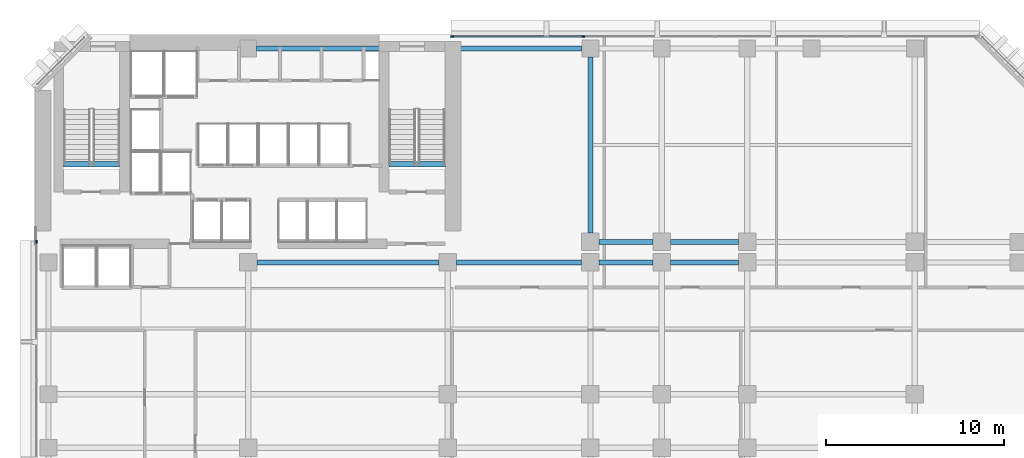
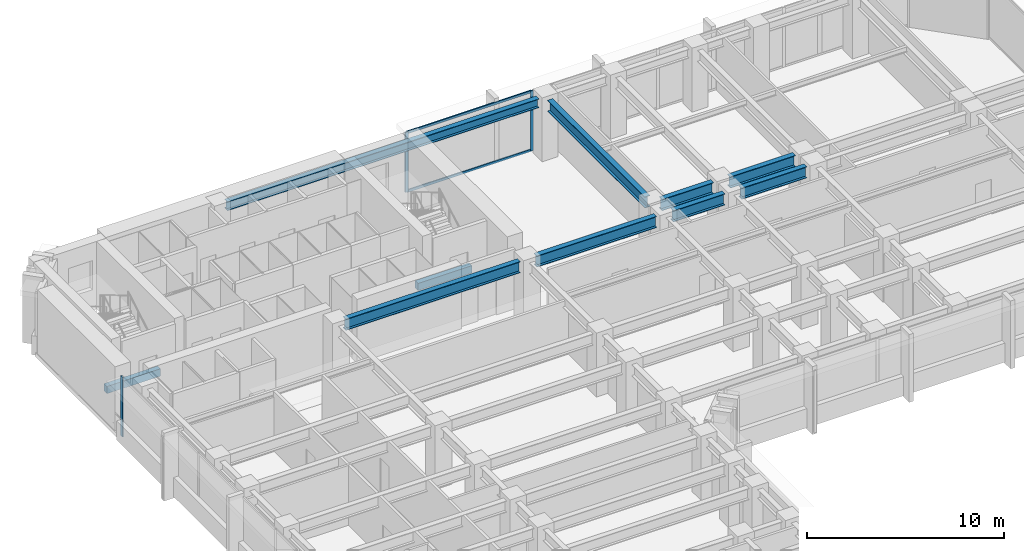
# One storey, part 4 of 14: 10 beams, 5 members, 2 elements without a shape of their own.
"""IFC4 building model written with IfcOpenShell, lengths in metres."""

from ifc_helpers import new_model, si_unit, direction, frame, origin, origin_2d, place, context, subcontext, project, spatial, rectangle, i_section, extrude, material, layer, layer_set, material_profile, profile_set, type_object, element, aggregate, save


model = new_model("IFC4")

# Units and contexts
model_context = context("Model", 3, precision=1e-05, world=origin(), true_north=direction((0.0, 1.0)))
body_context = subcontext(model_context, "Body", "Model", "MODEL_VIEW")
ifc_project = project(units=[si_unit("LENGTHUNIT", "METRE"), si_unit("AREAUNIT", "SQUARE_METRE"), si_unit("VOLUMEUNIT", "CUBIC_METRE"), si_unit("PLANEANGLEUNIT", "RADIAN"), si_unit("MASSUNIT", "GRAM", prefix="KILO")], contexts=[model_context])

# Site, building, storey
site_placement = place(None, origin())
site = spatial("IfcSite", under=ifc_project, at=site_placement, CompositionType="ELEMENT")
building_placement = place(site_placement, origin())
building = spatial("IfcBuilding", under=site, at=building_placement, Name="Kefirva Bronze Tower", CompositionType="ELEMENT")
storey_placement = place(building_placement, frame((0.0, 0.0, 42.239990234375)))
storey = spatial("IfcBuildingStorey", under=building, at=storey_placement, Name="L09", CompositionType="ELEMENT", Elevation=42.239990234375)

# Curtain wall, members
ifc_material_1 = material(Name="Bronze anodised aluminium", Category="aluminium")
ifc_layer = layer(ifc_material_1, 0.199951171875, Name="Bronze anodised aluminium")
ifc_layer_set = layer_set([ifc_layer], Name="Bronze anodised aluminium")
curtain_wall_type = type_object("IfcCurtainWallType", Name="Unitised Bronze Ribbon Curtain Wall Zone 1", PredefinedType="USERDEFINED", material=ifc_layer_set)
curtain_wall_1_placement = place(storey_placement, origin())
curtain_wall_1 = element("IfcCurtainWall", 1, at=curtain_wall_1_placement, inside=storey, type_object=curtain_wall_type, Name="L09 Curtain Wall 4", ObjectType="UNITISED CURTAIN WALL", PredefinedType="USERDEFINED")
ifc_material_profile_1 = material_profile(ifc_material_1, rectangle(XDim=0.074951171875, YDim=0.179931640625, at=origin_2d()), Name="ALU 75x180")
ifc_profile_set_1 = profile_set([ifc_material_profile_1], Name="Bronze anodised aluminium")
member_type_1 = type_object("IfcMemberType", Name="Bronze Mullion 75x180", PredefinedType="MULLION", material=ifc_profile_set_1)
member_1_placement = place(storey_placement, frame((30.7900390625, 45.8798828125, 0.0), z_axis=(0.0, 0.0, 1.0), x_axis=(0.0, -1.0, 0.0)))
member_1 = element("IfcMember", 2, at=member_1_placement, type_object=member_type_1, Name="CW-01 mullion 4", PredefinedType="MULLION", context=body_context, shape_type="SweptSolid", body=[
    extrude(rectangle(XDim=0.074951171875, YDim=0.179931640625, at=origin_2d()), origin(), (0.0, 0.0, 1.0), 3.7099609375),
])
member_2_placement = place(storey_placement, frame((23.4423828125, 45.8798828125, 0.0), z_axis=(0.0, 0.0, 1.0), x_axis=(0.0, -1.0, 0.0)))
member_2 = element("IfcMember", 3, at=member_2_placement, type_object=member_type_1, Name="CW-01 mullion 5", PredefinedType="MULLION", context=body_context, shape_type="SweptSolid", body=[
    extrude(rectangle(XDim=0.074951171875, YDim=0.179931640625, at=origin_2d()), origin(), (0.0, 0.0, 1.0), 3.7099609375),
])

# Curtain wall, member
curtain_wall_2_placement = place(storey_placement, origin())
curtain_wall_2 = element("IfcCurtainWall", 4, at=curtain_wall_2_placement, inside=storey, type_object=curtain_wall_type, Name="L09 Curtain Wall 5", ObjectType="UNITISED CURTAIN WALL", PredefinedType="USERDEFINED")
member_3_placement = place(storey_placement, frame((0.1201171875, 34.357421875, 0.0), z_axis=(0.0, 0.0, 1.0), x_axis=(1.0, 0.0, 0.0)))
member_3 = element("IfcMember", 5, at=member_3_placement, type_object=member_type_1, Name="CW-01 mullion 1", PredefinedType="MULLION", context=body_context, shape_type="SweptSolid", body=[
    extrude(rectangle(XDim=0.074951171875, YDim=0.179931640625, at=origin_2d()), origin(), (0.0, 0.0, 1.0), 3.7099609375),
])
aggregate(curtain_wall_2, [member_3])

# Member
ifc_material_profile_2 = material_profile(ifc_material_1, rectangle(XDim=0.074951171875, YDim=0.14990234375, at=origin_2d()), Name="ALU 75x150")
ifc_profile_set_2 = profile_set([ifc_material_profile_2], Name="Bronze anodised aluminium")
member_type_2 = type_object("IfcMemberType", Name="Bronze Transom 75x150", PredefinedType="USERDEFINED", material=ifc_profile_set_2)
member_4_placement = place(storey_placement, frame((30.75244140625, 45.8798828125, 0.03759765625), z_axis=(-1.0, 0.0, 0.0), x_axis=(0.0, -1.0, 0.0)))
member_4 = element("IfcMember", 6, at=member_4_placement, type_object=member_type_2, Name="CW-01 transom 4.1", ObjectType="TRANSOM", PredefinedType="USERDEFINED", context=body_context, shape_type="SweptSolid", body=[
    extrude(rectangle(XDim=0.074951171875, YDim=0.14990234375, at=origin_2d()), origin(), (0.0, 0.0, 1.0), 7.2724609375),
])

member_5_placement = place(storey_placement, frame((30.75244140625, 45.8798828125, 3.672607421875), z_axis=(-1.0, 0.0, 0.0), x_axis=(0.0, -1.0, 0.0)))
member_5 = element("IfcMember", 7, at=member_5_placement, type_object=member_type_2, Name="CW-01 transom 4.2", ObjectType="TRANSOM", PredefinedType="USERDEFINED", context=body_context, shape_type="SweptSolid", body=[
    extrude(rectangle(XDim=0.074951171875, YDim=0.14990234375, at=origin_2d()), origin(), (0.0, 0.0, 1.0), 7.2724609375),
])

aggregate(curtain_wall_1, [member_1, member_2, member_4, member_5])

# Beams
ifc_material_2 = material(Name="Concrete C50/60", Category="concrete")
ifc_material_profile_3 = material_profile(ifc_material_2, rectangle(XDim=0.300048828125, YDim=0.449951171875, at=origin_2d()), Name="RC 300x450")
ifc_profile_set_3 = profile_set([ifc_material_profile_3], Name="Concrete C50/60")
beam_type_1 = type_object("IfcBeamType", Name="RC Stair Trimmer Beam 300x450", PredefinedType="BEAM", material=ifc_profile_set_3)
beam_1_placement = place(storey_placement, frame((1.64501953125, 38.699951171875, -0.22509765625), z_axis=(1.0, 0.0, 0.0), x_axis=(0.0, 1.0, 0.0)))
element("IfcBeam", 8, at=beam_1_placement, inside=storey, type_object=beam_type_1, Name="L09 Stair 1 Landing Trimmer Beam", PredefinedType="BEAM", context=body_context, shape_type="SweptSolid", body=[
    extrude(rectangle(XDim=0.300048828125, YDim=0.449951171875, at=origin_2d()), origin(), (0.0, 0.0, 1.0), 3.14990234375),
])
beam_2_placement = place(storey_placement, frame((19.89501953125, 38.699951171875, -0.22509765625), z_axis=(1.0, 0.0, 0.0), x_axis=(0.0, 1.0, 0.0)))
element("IfcBeam", 9, at=beam_2_placement, inside=storey, type_object=beam_type_1, Name="L09 Stair 2 Landing Trimmer Beam", PredefinedType="BEAM", context=body_context, shape_type="SweptSolid", body=[
    extrude(rectangle(XDim=0.300048828125, YDim=0.449951171875, at=origin_2d()), origin(), (0.0, 0.0, 1.0), 3.159912109375),
])
ifc_material_3 = material(Name="Steel S355", Category="steel")
ifc_material_profile_4 = material_profile(ifc_material_3, i_section(OverallWidth=0.300048828125, OverallDepth=0.699951171875, WebThickness=0.01708984375, FlangeThickness=0.031982421875, at=origin_2d()), Name="HEB 700")
ifc_profile_set_4 = profile_set([ifc_material_profile_4], Name="Steel S355")
beam_type_2 = type_object("IfcBeamType", Name="Steel Girder HEB 700", PredefinedType="USERDEFINED", material=ifc_profile_set_4)
beam_3_placement = place(storey_placement, frame((12.489990234375, 33.199951171875, 3.360107421875), z_axis=(1.0, 0.0, 0.0), x_axis=(0.0, 1.0, 0.0)))
element("IfcBeam", 10, at=beam_3_placement, inside=storey, type_object=beam_type_2, Name="L09 BM-L09-EW-12-332", ObjectType="GIRDER", PredefinedType="USERDEFINED", context=body_context, shape_type="SweptSolid", body=[
    extrude(i_section(OverallWidth=0.300048828125, OverallDepth=0.699951171875, WebThickness=0.01708984375, FlangeThickness=0.031982421875, at=origin_2d()), origin(), (0.0, 0.0, 1.0), 10.219970703125),
])
beam_4_placement = place(storey_placement, frame((23.68994140625, 33.199951171875, 3.360107421875), z_axis=(1.0, 0.0, 0.0), x_axis=(0.0, 1.0, 0.0)))
element("IfcBeam", 11, at=beam_4_placement, inside=storey, type_object=beam_type_2, Name="L09 BM-L09-EW-23-332", ObjectType="GIRDER", PredefinedType="USERDEFINED", context=body_context, shape_type="SweptSolid", body=[
    extrude(i_section(OverallWidth=0.300048828125, OverallDepth=0.699951171875, WebThickness=0.01708984375, FlangeThickness=0.031982421875, at=origin_2d()), origin(), (0.0, 0.0, 1.0), 7.02001953125),
])
beam_5_placement = place(storey_placement, frame((31.68994140625, 33.199951171875, 3.360107421875), z_axis=(1.0, 0.0, 0.0), x_axis=(0.0, 1.0, 0.0)))
element("IfcBeam", 12, at=beam_5_placement, inside=storey, type_object=beam_type_2, Name="L09 BM-L09-EW-31-332", ObjectType="GIRDER", PredefinedType="USERDEFINED", context=body_context, shape_type="SweptSolid", body=[
    extrude(i_section(OverallWidth=0.300048828125, OverallDepth=0.699951171875, WebThickness=0.01708984375, FlangeThickness=0.031982421875, at=origin_2d()), origin(), (0.0, 0.0, 1.0), 3.02001953125),
])
beam_6_placement = place(storey_placement, frame((35.68994140625, 33.199951171875, 3.360107421875), z_axis=(1.0, 0.0, 0.0), x_axis=(0.0, 1.0, 0.0)))
element("IfcBeam", 13, at=beam_6_placement, inside=storey, type_object=beam_type_2, Name="L09 BM-L09-EW-35-332", ObjectType="GIRDER", PredefinedType="USERDEFINED", context=body_context, shape_type="SweptSolid", body=[
    extrude(i_section(OverallWidth=0.300048828125, OverallDepth=0.699951171875, WebThickness=0.01708984375, FlangeThickness=0.031982421875, at=origin_2d()), origin(), (0.0, 0.0, 1.0), 3.820068359375),
])
beam_7_placement = place(storey_placement, frame((31.68994140625, 34.35009765625, 3.360107421875), z_axis=(1.0, 0.0, 0.0), x_axis=(0.0, 1.0, 0.0)))
element("IfcBeam", 14, at=beam_7_placement, inside=storey, type_object=beam_type_2, Name="L09 BM-L09-EW-31-344", ObjectType="GIRDER", PredefinedType="USERDEFINED", context=body_context, shape_type="SweptSolid", body=[
    extrude(i_section(OverallWidth=0.300048828125, OverallDepth=0.699951171875, WebThickness=0.01708984375, FlangeThickness=0.031982421875, at=origin_2d()), origin(), (0.0, 0.0, 1.0), 3.02001953125),
])
beam_8_placement = place(storey_placement, frame((35.68994140625, 34.35009765625, 3.360107421875), z_axis=(1.0, 0.0, 0.0), x_axis=(0.0, 1.0, 0.0)))
element("IfcBeam", 15, at=beam_8_placement, inside=storey, type_object=beam_type_2, Name="L09 BM-L09-EW-35-344", ObjectType="GIRDER", PredefinedType="USERDEFINED", context=body_context, shape_type="SweptSolid", body=[
    extrude(i_section(OverallWidth=0.300048828125, OverallDepth=0.699951171875, WebThickness=0.01708984375, FlangeThickness=0.031982421875, at=origin_2d()), origin(), (0.0, 0.0, 1.0), 3.820068359375),
])
beam_9_placement = place(storey_placement, frame((31.199951171875, 34.840087890625, 3.360107421875), z_axis=(0.0, 1.0, 0.0), x_axis=(-1.0, 0.0, 0.0)))
element("IfcBeam", 16, at=beam_9_placement, inside=storey, type_object=beam_type_2, Name="L09 BM-L09-NS-312-34", ObjectType="GIRDER", PredefinedType="USERDEFINED", context=body_context, shape_type="SweptSolid", body=[
    extrude(i_section(OverallWidth=0.300048828125, OverallDepth=0.699951171875, WebThickness=0.01708984375, FlangeThickness=0.031982421875, at=origin_2d()), origin(), (0.0, 0.0, 1.0), 9.889892578125),
])
ifc_material_profile_5 = material_profile(ifc_material_3, i_section(OverallWidth=0.300048828125, OverallDepth=0.550048828125, WebThickness=0.014892578125, FlangeThickness=0.029052734375, at=origin_2d()), Name="HEB 550")
ifc_profile_set_5 = profile_set([ifc_material_profile_5], Name="Steel S355")
beam_type_3 = type_object("IfcBeamType", Name="Steel Spandrel HEB 550 Ext", PredefinedType="SPANDREL", material=ifc_profile_set_5)
beam_10_placement = place(storey_placement, frame((12.469970703125, 45.199951171875, 3.43505859375), z_axis=(1.0, 0.0, 0.0), x_axis=(0.0, 1.0, 0.0)))
element("IfcBeam", 17, at=beam_10_placement, inside=storey, type_object=beam_type_3, Name="L09 BM-L09-EW-12-452", PredefinedType="SPANDREL", context=body_context, shape_type="SweptSolid", body=[
    extrude(i_section(OverallWidth=0.300048828125, OverallDepth=0.550048828125, WebThickness=0.014892578125, FlangeThickness=0.029052734375, at=origin_2d()), origin(), (0.0, 0.0, 1.0), 18.260009765625),
])

save(model, "model.ifc")
